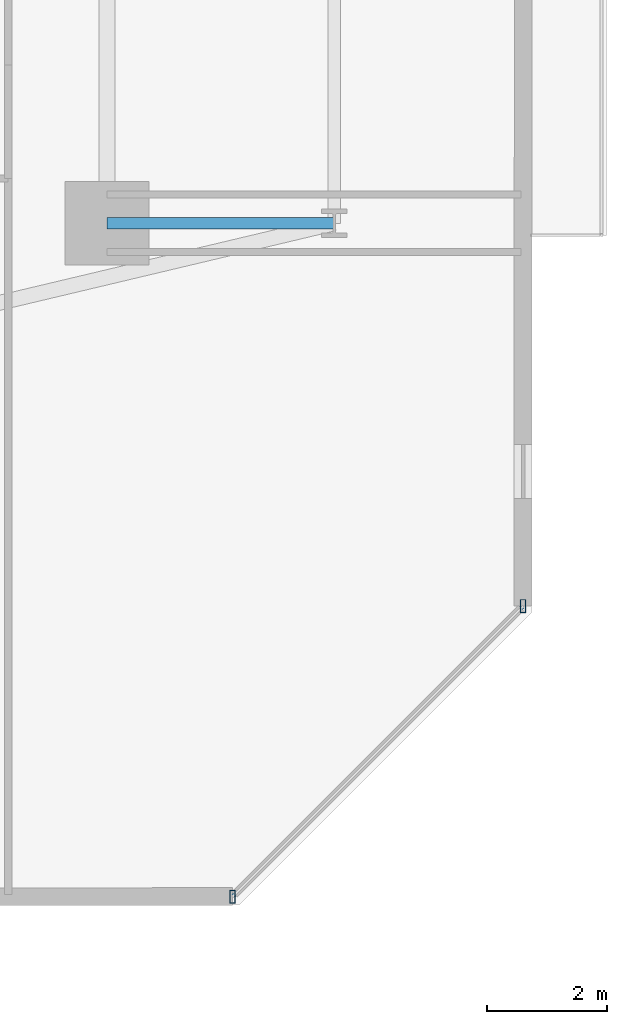
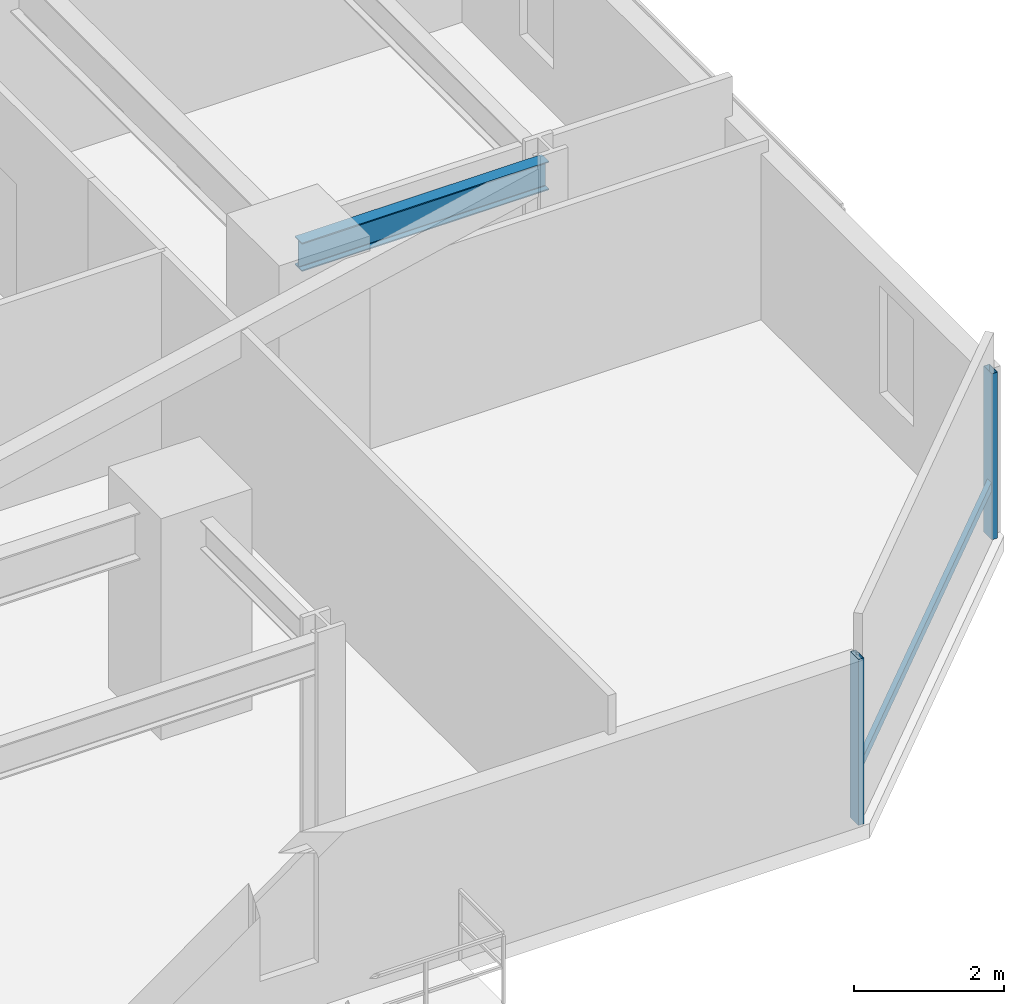
# One storey, part 12 of 33: 3 members, 1 beam, 1 element without a shape of its own.
"""IFC4 building model written with IfcOpenShell, lengths in metres."""

from ifc_helpers import new_model, si_unit, direction, frame, origin, origin_2d, place, context, subcontext, project, spatial, hollow_rectangle, i_section, extrude, material, material_profile, profile_set, type_object, element, aggregate, save


model = new_model("IFC4")

# Units and contexts
model_context = context("Model", 3, precision=1e-05, world=origin(), true_north=direction((0.0, 1.0)))
body_context = subcontext(model_context, "Body", "Model", "MODEL_VIEW")
ifc_project = project(units=[si_unit("LENGTHUNIT", "METRE"), si_unit("AREAUNIT", "SQUARE_METRE"), si_unit("VOLUMEUNIT", "CUBIC_METRE"), si_unit("PLANEANGLEUNIT", "RADIAN"), si_unit("MASSUNIT", "GRAM", prefix="KILO")], contexts=[model_context])

# Site, building, storey
site_placement = place(None, origin())
site = spatial("IfcSite", under=ifc_project, at=site_placement, CompositionType="ELEMENT")
building_placement = place(site_placement, origin())
building = spatial("IfcBuilding", under=site, at=building_placement, Name="Thornwick Lancets Civic Towers", CompositionType="ELEMENT")
storey_placement = place(building_placement, frame((0.0, 0.0, 42.300048828125)))
storey = spatial("IfcBuildingStorey", under=building, at=storey_placement, Name="L10", CompositionType="ELEMENT", Elevation=42.300048828125)

# Beam
ifc_material_1 = material(Name="Steel S355JR", Category="steel")
ifc_material_profile_1 = material_profile(ifc_material_1, i_section(OverallWidth=0.19189453125, OverallDepth=0.46337890625, WebThickness=0.010498046875, FlangeThickness=0.017578125, FilletRadius=0.01025390625, at=origin_2d()), Name="UKB 457x191x89")
ifc_profile_set_1 = profile_set([ifc_material_profile_1], Name="Steel S355JR")
beam_type = type_object("IfcBeamType", Name="BM_JOIST_457_89", PredefinedType="JOIST", material=ifc_profile_set_1)
beam_placement = place(storey_placement, frame((105.800048828125, 14.0, 3.128173828125), z_axis=(1.0, 0.0, 0.0), x_axis=(0.0, 1.0, 0.0)))
element("IfcBeam", 1, at=beam_placement, inside=storey, type_object=beam_type, Name="BM-RAD-L10-B01", PredefinedType="JOIST", context=body_context, shape_type="SweptSolid", body=[
    extrude(i_section(OverallWidth=0.19189453125, OverallDepth=0.46337890625, WebThickness=0.010498046875, FlangeThickness=0.017578125, FilletRadius=0.01025390625, at=origin_2d()), origin(), (0.0, 0.0, 1.0), 3.800048828125),
])

# Curtain wall, members
ifc_material_2 = material(Name="Low-zone chamfered-corner unitised glass curtain wall", Category="glass")
curtain_wall_type = type_object("IfcCurtainWallType", Name="CW_SYS_03", PredefinedType="NOTDEFINED", material=ifc_material_2)
curtain_wall_placement = place(storey_placement, origin())
curtain_wall = element("IfcCurtainWall", 2, at=curtain_wall_placement, inside=storey, type_object=curtain_wall_type, Name="L10 Curtain Wall CW-L10-B-E1", PredefinedType="NOTDEFINED")
ifc_material_3 = material(Name="Thermally broken bronze aluminium S355", Category="steel")
ifc_material_profile_2 = material_profile(ifc_material_3, hollow_rectangle(XDim=0.090087890625, YDim=0.219970703125, WallThickness=0.00634765625, at=origin_2d()), Name="RHS 220x90x6.3")
ifc_profile_set_2 = profile_set([ifc_material_profile_2], Name="Thermally broken bronze aluminium S355")
member_type_1 = type_object("IfcMemberType", Name="CW_MUL_220", PredefinedType="MULLION", material=ifc_profile_set_2)
member_1_placement = place(storey_placement, frame((107.899169921875, 2.742431640625, 0.0), z_axis=(0.0, 0.0, 1.0), x_axis=(1.0, 0.0, 0.0)))
member_1 = element("IfcMember", 3, at=member_1_placement, type_object=member_type_1, Name="CW-L10-B-E1 Mullion 0", PredefinedType="MULLION", context=body_context, shape_type="SweptSolid", body=[
    extrude(hollow_rectangle(XDim=0.090087890625, YDim=0.219970703125, WallThickness=0.00634765625, at=origin_2d()), origin(), (0.0, 0.0, 1.0), 2.699951171875),
])
member_2_placement = place(storey_placement, frame((112.757568359375, 7.600830078125, 0.0), z_axis=(0.0, 0.0, 1.0), x_axis=(1.0, 0.0, 0.0)))
member_2 = element("IfcMember", 4, at=member_2_placement, type_object=member_type_1, Name="CW-L10-B-E1 Mullion 1", PredefinedType="MULLION", context=body_context, shape_type="SweptSolid", body=[
    extrude(hollow_rectangle(XDim=0.090087890625, YDim=0.219970703125, WallThickness=0.00634765625, at=origin_2d()), origin(), (0.0, 0.0, 1.0), 2.699951171875),
])
ifc_material_profile_3 = material_profile(ifc_material_3, hollow_rectangle(XDim=0.074951171875, YDim=0.14990234375, WallThickness=0.0048828125, at=origin_2d()), Name="RHS 150x75x5")
ifc_profile_set_3 = profile_set([ifc_material_profile_3], Name="Thermally broken bronze aluminium S355")
member_type_2 = type_object("IfcMemberType", Name="CW_TRN_150", PredefinedType="USERDEFINED", material=ifc_profile_set_3)
member_3_placement = place(storey_placement, frame((107.9130859375, 2.756591796875, 0.849853515625), z_axis=(0.707106781187, 0.707106781187, 0.0), x_axis=(-0.707106781187, 0.707106781187, 0.0)))
member_3 = element("IfcMember", 5, at=member_3_placement, type_object=member_type_2, Name="CW-L10-B-E1 Transom 0", ObjectType="TRANSOM", PredefinedType="USERDEFINED", context=body_context, shape_type="SweptSolid", body=[
    extrude(hollow_rectangle(XDim=0.074951171875, YDim=0.14990234375, WallThickness=0.0048828125, at=origin_2d()), origin(), (0.0, 0.0, 1.0), 6.8310546875),
])
aggregate(curtain_wall, [member_1, member_2, member_3])

save(model, "model.ifc")
